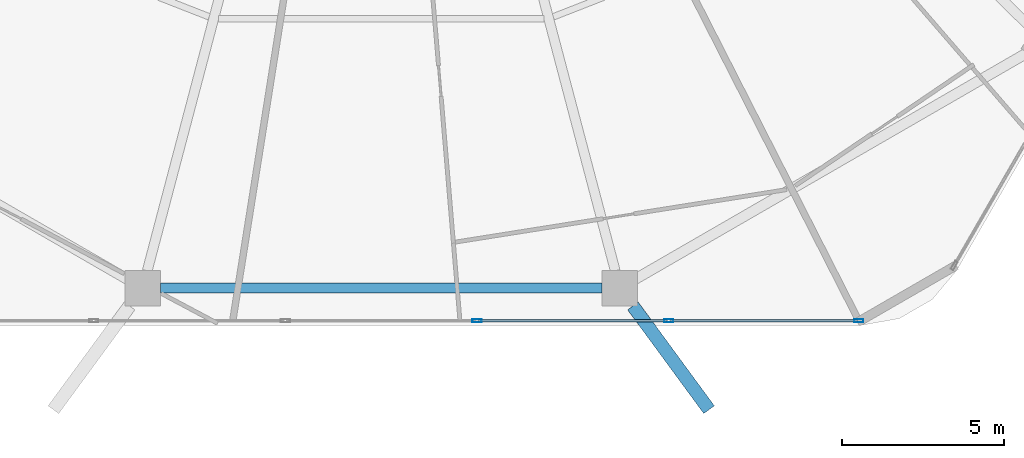
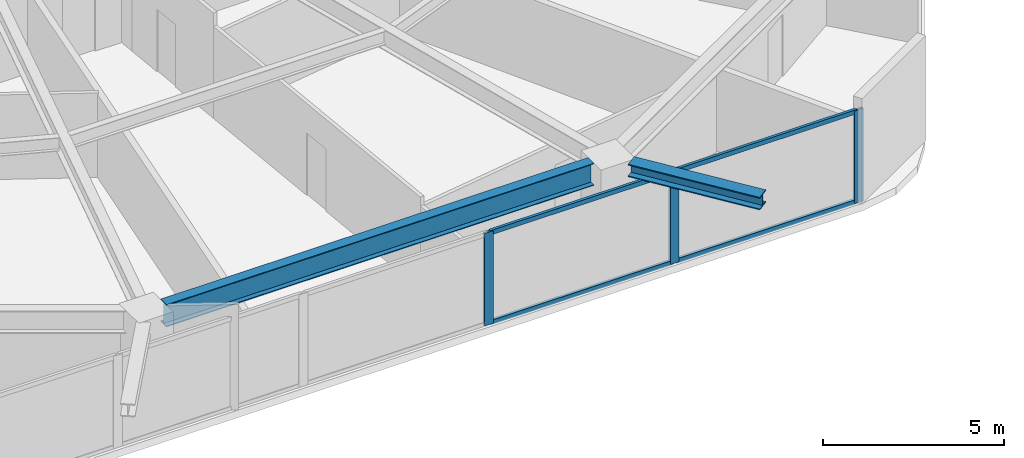
# One storey, part 6 of 29: 7 members, 2 beams, 1 element without a shape of its own.
"""IFC4 building model written with IfcOpenShell, lengths in metres."""

from ifc_helpers import new_model, si_unit, direction, frame, origin, origin_2d, place, context, subcontext, project, spatial, hollow_rectangle, i_section, extrude, material, material_profile, profile_set, type_object, element, aggregate, save


model = new_model("IFC4")

# Units and contexts
model_context = context("Model", 3, precision=1e-05, world=origin(), true_north=direction((0.0, 1.0)))
body_context = subcontext(model_context, "Body", "Model", "MODEL_VIEW")
ifc_project = project(units=[si_unit("LENGTHUNIT", "METRE"), si_unit("AREAUNIT", "SQUARE_METRE"), si_unit("VOLUMEUNIT", "CUBIC_METRE"), si_unit("PLANEANGLEUNIT", "RADIAN"), si_unit("MASSUNIT", "GRAM", prefix="KILO")], contexts=[model_context])

# Site, building, storey
site_placement = place(None, origin())
site = spatial("IfcSite", under=ifc_project, at=site_placement, CompositionType="ELEMENT")
building_placement = place(site_placement, origin())
building = spatial("IfcBuilding", under=site, at=building_placement, Name="Zuhravey Tower", CompositionType="ELEMENT")
storey_placement = place(building_placement, frame((0.0, 0.0, 134.199951171875)))
storey = spatial("IfcBuildingStorey", under=building, at=storey_placement, Name="L33", CompositionType="ELEMENT", Elevation=134.199951171875)

# Curtain wall, members
ifc_material_1 = material(Name="Thermally broken anodised aluminium", Category="aluminium")
curtain_wall_type = type_object("IfcCurtainWallType", Name="Zone 1-2 Residential Curtain Wall CW3", PredefinedType="NOTDEFINED", material=ifc_material_1)
curtain_wall_placement = place(storey_placement, origin())
curtain_wall = element("IfcCurtainWall", 1, at=curtain_wall_placement, inside=storey, type_object=curtain_wall_type, Name="L33 CW3 CW-L33-F5-1", PredefinedType="NOTDEFINED")
ifc_material_2 = material(Name="Anodised aluminium", Category="aluminium")
ifc_material_profile_1 = material_profile(ifc_material_2, hollow_rectangle(XDim=0.090087890625, YDim=0.284912109375, WallThickness=0.0048828125, at=origin_2d()), Name="ALU-RHS-90x285x5")
ifc_profile_set_1 = profile_set([ifc_material_profile_1], Name="Anodised aluminium")
member_type_1 = type_object("IfcMemberType", Name="Curtain-Wall Mullion 90x180", PredefinedType="MULLION", material=ifc_profile_set_1)
member_1_placement = place(storey_placement, frame((50.75439453125, 3.04150390625, 0.0), z_axis=(0.0, 0.0, 1.0), x_axis=(0.0, -1.0, 0.0)))
member_1 = element("IfcMember", 2, at=member_1_placement, type_object=member_type_1, Name="CW3 mullion 1", PredefinedType="MULLION", context=body_context, shape_type="SweptSolid", body=[
    extrude(hollow_rectangle(XDim=0.090087890625, YDim=0.284912109375, WallThickness=0.0048828125, at=origin_2d()), origin(), (0.0, 0.0, 1.0), 3.1220703125),
])
member_2_placement = place(storey_placement, frame((44.879638671875, 3.04150390625, 0.0), z_axis=(0.0, 0.0, 1.0), x_axis=(0.0, -1.0, 0.0)))
member_2 = element("IfcMember", 3, at=member_2_placement, type_object=member_type_1, Name="CW3 mullion 2", PredefinedType="MULLION", context=body_context, shape_type="SweptSolid", body=[
    extrude(hollow_rectangle(XDim=0.090087890625, YDim=0.284912109375, WallThickness=0.0048828125, at=origin_2d()), origin(), (0.0, 0.0, 1.0), 3.1220703125),
])
member_3_placement = place(storey_placement, frame((38.9599609375, 3.04150390625, 0.0), z_axis=(0.0, 0.0, 1.0), x_axis=(0.0, -1.0, 0.0)))
member_3 = element("IfcMember", 4, at=member_3_placement, type_object=member_type_1, Name="CW3 mullion 3", PredefinedType="MULLION", context=body_context, shape_type="SweptSolid", body=[
    extrude(hollow_rectangle(XDim=0.090087890625, YDim=0.284912109375, WallThickness=0.0048828125, at=origin_2d()), origin(), (0.0, 0.0, 1.0), 3.1220703125),
])
ifc_material_profile_2 = material_profile(ifc_material_2, hollow_rectangle(XDim=0.090087890625, YDim=0.14990234375, WallThickness=0.0048828125, at=origin_2d()), Name="ALU-RHS-90x150x5")
ifc_profile_set_2 = profile_set([ifc_material_profile_2], Name="Anodised aluminium")
member_type_2 = type_object("IfcMemberType", Name="Curtain-Wall Transom 90x150", PredefinedType="USERDEFINED", material=ifc_profile_set_2)
member_4_placement = place(storey_placement, frame((50.70947265625, 3.04150390625, 0.045166015625), z_axis=(-1.0, 0.0, 0.0), x_axis=(0.0, -1.0, 0.0)))
member_4 = element("IfcMember", 5, at=member_4_placement, type_object=member_type_2, Name="CW3 transom 1.1", ObjectType="TRANSOM", PredefinedType="USERDEFINED", context=body_context, shape_type="SweptSolid", body=[
    extrude(hollow_rectangle(XDim=0.090087890625, YDim=0.14990234375, WallThickness=0.0048828125, at=origin_2d()), origin(), (0.0, 0.0, 1.0), 5.78466796875),
])
member_5_placement = place(storey_placement, frame((50.70947265625, 3.04150390625, 3.0771484375), z_axis=(-1.0, 0.0, 0.0), x_axis=(0.0, -1.0, 0.0)))
member_5 = element("IfcMember", 6, at=member_5_placement, type_object=member_type_2, Name="CW3 transom 1.2", ObjectType="TRANSOM", PredefinedType="USERDEFINED", context=body_context, shape_type="SweptSolid", body=[
    extrude(hollow_rectangle(XDim=0.090087890625, YDim=0.14990234375, WallThickness=0.0048828125, at=origin_2d()), origin(), (0.0, 0.0, 1.0), 5.78466796875),
])
member_6_placement = place(storey_placement, frame((44.834716796875, 3.04150390625, 0.045166015625), z_axis=(-1.0, 0.0, 0.0), x_axis=(0.0, -1.0, 0.0)))
member_6 = element("IfcMember", 7, at=member_6_placement, type_object=member_type_2, Name="CW3 transom 2.1", ObjectType="TRANSOM", PredefinedType="USERDEFINED", context=body_context, shape_type="SweptSolid", body=[
    extrude(hollow_rectangle(XDim=0.090087890625, YDim=0.14990234375, WallThickness=0.0048828125, at=origin_2d()), origin(), (0.0, 0.0, 1.0), 5.829833984375),
])
member_7_placement = place(storey_placement, frame((44.834716796875, 3.04150390625, 3.0771484375), z_axis=(-1.0, 0.0, 0.0), x_axis=(0.0, -1.0, 0.0)))
member_7 = element("IfcMember", 8, at=member_7_placement, type_object=member_type_2, Name="CW3 transom 2.2", ObjectType="TRANSOM", PredefinedType="USERDEFINED", context=body_context, shape_type="SweptSolid", body=[
    extrude(hollow_rectangle(XDim=0.090087890625, YDim=0.14990234375, WallThickness=0.0048828125, at=origin_2d()), origin(), (0.0, 0.0, 1.0), 5.829833984375),
])
aggregate(curtain_wall, [member_1, member_2, member_3, member_4, member_5, member_6, member_7])

# Beams
ifc_material_3 = material(Name="Steel SM460", Category="steel")
ifc_material_profile_3 = material_profile(ifc_material_3, i_section(OverallWidth=0.406982421875, OverallDepth=0.427978515625, WebThickness=0.02001953125, FlangeThickness=0.034912109375, at=origin_2d()), Name="H-428x407x20x35")
ifc_profile_set_3 = profile_set([ifc_material_profile_3], Name="Steel SM460")
beam_type_1 = type_object("IfcBeamType", Name="Exoskeleton Node Tie Beam H428x407", PredefinedType="BEAM", material=ifc_profile_set_3)
beam_1_placement = place(storey_placement, frame((43.776123046875, 3.498291015625, 3.3359375), z_axis=(0.591653859, -0.806192105599, 0.0), x_axis=(0.806192105599, 0.591653859, 0.0)))
element("IfcBeam", 9, at=beam_1_placement, inside=storey, type_object=beam_type_1, Name="L33 Exoskeleton Node Tie NT1-10", PredefinedType="BEAM", context=body_context, shape_type="SweptSolid", body=[
    extrude(i_section(OverallWidth=0.406982421875, OverallDepth=0.427978515625, WebThickness=0.02001953125, FlangeThickness=0.034912109375, at=origin_2d()), origin(), (0.0, 0.0, 1.0), 3.974853515625),
])
ifc_material_4 = material(Name="Steel SM355", Category="steel")
ifc_material_profile_4 = material_profile(ifc_material_4, i_section(OverallWidth=0.320068359375, OverallDepth=0.75, WebThickness=0.013916015625, FlangeThickness=0.02490234375, at=origin_2d()), Name="H-750x320x14x25")
ifc_profile_set_4 = profile_set([ifc_material_profile_4], Name="Steel SM355")
beam_type_2 = type_object("IfcBeamType", Name="Perimeter Ring Beam H750x320", PredefinedType="BEAM", material=ifc_profile_set_4)
beam_2_placement = place(storey_placement, frame((29.18310546875, 4.051513671875, 3.175048828125), z_axis=(1.0, 0.0, 0.0), x_axis=(0.0, 1.0, 0.0)))
element("IfcBeam", 10, at=beam_2_placement, inside=storey, type_object=beam_type_2, Name="L33 PB1 BM-L33-PB-09", PredefinedType="BEAM", context=body_context, shape_type="SweptSolid", body=[
    extrude(i_section(OverallWidth=0.320068359375, OverallDepth=0.75, WebThickness=0.013916015625, FlangeThickness=0.02490234375, at=origin_2d()), origin(), (0.0, 0.0, 1.0), 13.6337890625),
])

save(model, "model.ifc")
